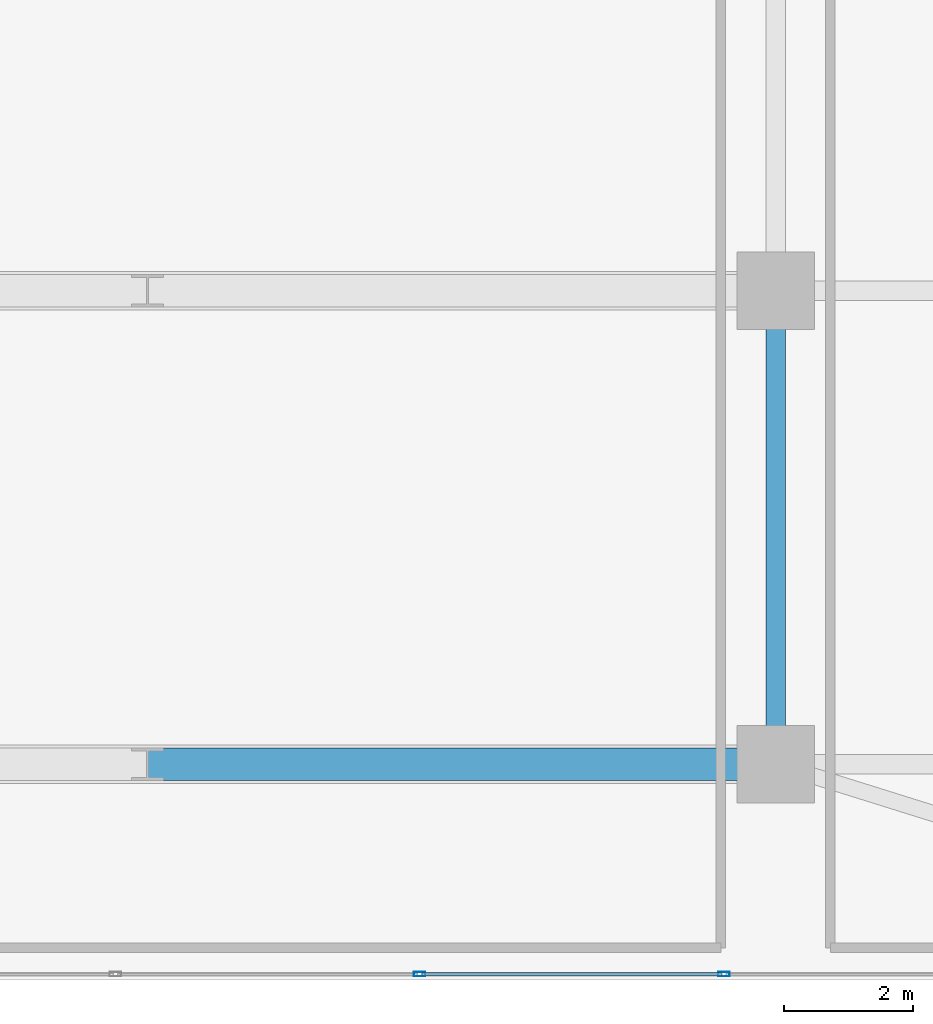
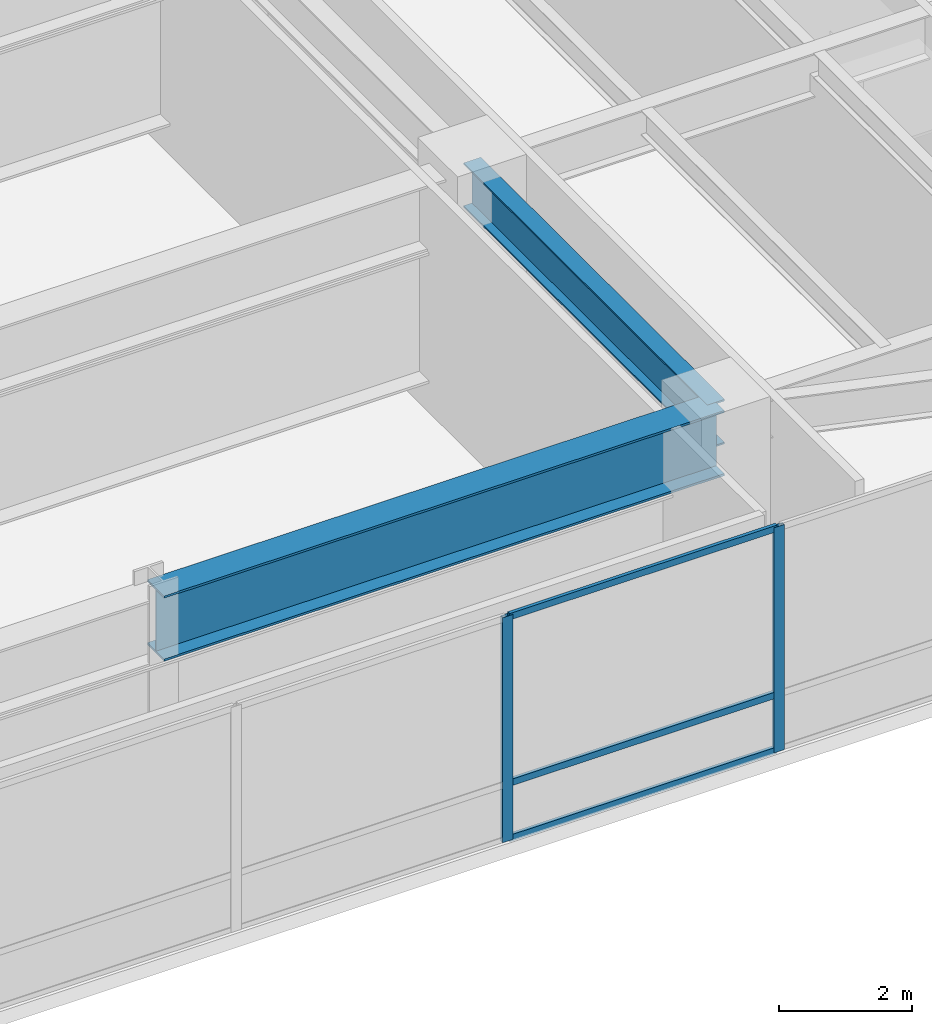
# One storey, part 11 of 27: 5 members, 2 beams, 1 element without a shape of its own.
"""IFC4 building model written with IfcOpenShell, lengths in metres."""

from ifc_helpers import new_model, si_unit, direction, frame, origin, origin_2d, place, context, subcontext, project, spatial, hollow_rectangle, i_section, extrude, source, transform, mapped, material, layer, layer_set, material_profile, profile_set, type_object, type_shapes, element, aggregate, save


model = new_model("IFC4")

# Units and contexts
model_context = context("Model", 3, precision=1e-05, world=origin(), true_north=direction((0.0, 1.0)))
body_context = subcontext(model_context, "Body", "Model", "MODEL_VIEW")
ifc_project = project(units=[si_unit("LENGTHUNIT", "METRE"), si_unit("AREAUNIT", "SQUARE_METRE"), si_unit("VOLUMEUNIT", "CUBIC_METRE"), si_unit("PLANEANGLEUNIT", "RADIAN"), si_unit("MASSUNIT", "GRAM", prefix="KILO")], contexts=[model_context])

# Site, building, storey
site_placement = place(None, origin())
site = spatial("IfcSite", under=ifc_project, at=site_placement, CompositionType="ELEMENT")
building_placement = place(site_placement, origin())
building = spatial("IfcBuilding", under=site, at=building_placement, Name="Tolvann Quenvar Hotel", CompositionType="ELEMENT")
storey_placement = place(building_placement, frame((0.0, 0.0, 22.39990234375)))
storey = spatial("IfcBuildingStorey", under=building, at=storey_placement, Name="L04", CompositionType="ELEMENT", Elevation=22.39990234375)

# Beams
ifc_material_1 = material(Name="Steel Grade 350", Category="steel")
ifc_material_profile_1 = material_profile(ifc_material_1, i_section(OverallWidth=0.300048828125, OverallDepth=0.81591796875, WebThickness=0.010009765625, FlangeThickness=0.028076171875, at=origin_2d()), Name="800WB192")
ifc_profile_set_1 = profile_set([ifc_material_profile_1], Name="Steel Grade 350")
beam_type_1 = type_object("IfcBeamType", Name="BM_GIRD_800WB192", PredefinedType="BEAM", material=ifc_profile_set_1)
shared_shape_1 = source(origin(), body_context, "Body", "SweptSolid", [
    extrude(i_section(OverallWidth=0.300048828125, OverallDepth=0.81591796875, WebThickness=0.010009765625, FlangeThickness=0.028076171875, at=origin_2d()), origin(), (0.0, 0.0, 1.0), 7.349853515625),
])
type_shapes(beam_type_1, [shared_shape_1])
beam_1_placement = place(storey_placement, frame((38.25, 0.85009765625, 3.732177734375), z_axis=(0.0, 1.0, 0.0), x_axis=(-1.0, 0.0, 0.0)))
element("IfcBeam", 1, at=beam_1_placement, inside=storey, type_object=beam_type_1, Name="BM-L04-NS-APE-0", PredefinedType="BEAM", context=body_context, shape_type="MappedRepresentation", body=[
    mapped(shared_shape_1, transform((0.0, 0.0, 0.0), x_axis=(1.0, 0.0, 0.0), y_axis=(0.0, 1.0, 0.0), z_axis=(0.0, 0.0, 1.0), scale=1.0)),
])
ifc_material_profile_2 = material_profile(ifc_material_1, i_section(OverallWidth=0.5, OverallDepth=1.199951171875, WebThickness=0.01611328125, FlangeThickness=0.0400390625, at=origin_2d()), Name="1200WB455")
ifc_profile_set_2 = profile_set([ifc_material_profile_2], Name="Steel Grade 350")
beam_type_2 = type_object("IfcBeamType", Name="BM_TG_1200WB455", PredefinedType="USERDEFINED", material=ifc_profile_set_2)
shared_shape_2 = source(origin(), body_context, "Body", "SweptSolid", [
    extrude(i_section(OverallWidth=0.5, OverallDepth=1.199951171875, WebThickness=0.01611328125, FlangeThickness=0.0400390625, at=origin_2d()), origin(), (0.0, 0.0, 1.0), 9.75),
])
type_shapes(beam_type_2, [shared_shape_2])
beam_2_placement = place(storey_placement, frame((28.5, 0.85009765625, 3.5400390625), z_axis=(1.0, 0.0, 0.0), x_axis=(0.0, 1.0, 0.0)))
element("IfcBeam", 2, at=beam_2_placement, inside=storey, type_object=beam_type_2, Name="BM-L04-ATIE-1B", ObjectType="TRANSFER GIRDER", PredefinedType="USERDEFINED", context=body_context, shape_type="MappedRepresentation", body=[
    mapped(shared_shape_2, transform((0.0, 0.0, 0.0), x_axis=(1.0, 0.0, 0.0), y_axis=(0.0, 1.0, 0.0), z_axis=(0.0, 0.0, 1.0), scale=1.0)),
])

# Curtain wall, members
ifc_material_2 = material(Name="Thermally broken anodised architectural aluminium 6063-T6 and laminated low-E glass", Category="aluminium")
ifc_layer = layer(ifc_material_2, 0.179931640625)
ifc_layer_set = layer_set([ifc_layer], Name="Thermally broken anodised architectural aluminium 6063-T6 and laminated low-E glass")
curtain_wall_type = type_object("IfcCurtainWallType", Name="CW_SYS_BALL_02", PredefinedType="USERDEFINED", material=ifc_layer_set)
curtain_wall_placement = place(storey_placement, origin())
curtain_wall = element("IfcCurtainWall", 3, at=curtain_wall_placement, inside=storey, type_object=curtain_wall_type, Name="Curtain Wall CW-BALL-02 (CWR-L04-E04-S3)", ObjectType="UNITISED CURTAIN WALL", PredefinedType="USERDEFINED")
ifc_material_3 = material(Name="Anodised architectural aluminium 6063-T6 framing", Category="aluminium")
ifc_material_profile_3 = material_profile(ifc_material_3, hollow_rectangle(XDim=0.070068359375, YDim=0.179931640625, WallThickness=0.00390625, at=origin_2d()), Name="180x70x4RHS")
ifc_profile_set_3 = profile_set([ifc_material_profile_3], Name="Anodised architectural aluminium 6063-T6 framing")
member_type_1 = type_object("IfcMemberType", Name="CW_MULL_180x70", PredefinedType="MULLION", material=ifc_profile_set_3)
shared_shape_3 = source(origin(), body_context, "Body", "SweptSolid", [
    extrude(hollow_rectangle(XDim=0.070068359375, YDim=0.179931640625, WallThickness=0.00390625, at=origin_2d()), origin(), (0.0, 0.0, 1.0), 4.14013671875),
])
type_shapes(member_type_1, [shared_shape_3])
member_1_placement = place(storey_placement, frame((32.72412109375, -2.409912109375, 0.0), z_axis=(0.0, 0.0, 1.0), x_axis=(0.0, 1.0, 0.0)))
member_1 = element("IfcMember", 4, at=member_1_placement, type_object=member_type_1, Name="CW-BALL-02 mullion 6", PredefinedType="MULLION", context=body_context, shape_type="MappedRepresentation", body=[
    mapped(shared_shape_3, transform((0.0, 0.0, 0.0), x_axis=(1.0, 0.0, 0.0), y_axis=(0.0, 1.0, 0.0), z_axis=(0.0, 0.0, 1.0), scale=1.0)),
])
member_2_placement = place(storey_placement, frame((37.447998046875, -2.409912109375, 0.0), z_axis=(0.0, 0.0, 1.0), x_axis=(0.0, 1.0, 0.0)))
member_2 = element("IfcMember", 5, at=member_2_placement, type_object=member_type_1, Name="CW-BALL-02 mullion 7", PredefinedType="MULLION", context=body_context, shape_type="MappedRepresentation", body=[
    mapped(shared_shape_3, transform((0.0, 0.0, 0.0), x_axis=(1.0, 0.0, 0.0), y_axis=(0.0, 1.0, 0.0), z_axis=(0.0, 0.0, 1.0), scale=1.0)),
])
ifc_material_profile_4 = material_profile(ifc_material_3, hollow_rectangle(XDim=0.06005859375, YDim=0.1201171875, WallThickness=0.00341796875, at=origin_2d()), Name="120x60x3.5RHS")
ifc_profile_set_4 = profile_set([ifc_material_profile_4], Name="Anodised architectural aluminium 6063-T6 framing")
member_type_2 = type_object("IfcMemberType", Name="CW_TRAN_120x60", PredefinedType="USERDEFINED", material=ifc_profile_set_4)
shared_shape_4 = source(origin(), body_context, "Body", "SweptSolid", [
    extrude(hollow_rectangle(XDim=0.06005859375, YDim=0.1201171875, WallThickness=0.00341796875, at=origin_2d()), origin(), (0.0, 0.0, 1.0), 4.654052734375),
])
type_shapes(member_type_2, [shared_shape_4])
member_3_placement = place(storey_placement, frame((32.759033203125, -2.409912109375, 0.030029296875), z_axis=(1.0, 0.0, 0.0), x_axis=(0.0, 1.0, 0.0)))
member_3 = element("IfcMember", 6, at=member_3_placement, type_object=member_type_2, Name="CW-BALL-02 transom 6.1", ObjectType="TRANSOM", PredefinedType="USERDEFINED", context=body_context, shape_type="MappedRepresentation", body=[
    mapped(shared_shape_4, transform((0.0, 0.0, 0.0), x_axis=(1.0, 0.0, 0.0), y_axis=(0.0, 1.0, 0.0), z_axis=(0.0, 0.0, 1.0), scale=1.0)),
])
member_4_placement = place(storey_placement, frame((32.759033203125, -2.409912109375, 1.050048828125), z_axis=(1.0, 0.0, 0.0), x_axis=(0.0, 1.0, 0.0)))
member_4 = element("IfcMember", 7, at=member_4_placement, type_object=member_type_2, Name="CW-BALL-02 transom 6.2", ObjectType="TRANSOM", PredefinedType="USERDEFINED", context=body_context, shape_type="MappedRepresentation", body=[
    mapped(shared_shape_4, transform((0.0, 0.0, 0.0), x_axis=(1.0, 0.0, 0.0), y_axis=(0.0, 1.0, 0.0), z_axis=(0.0, 0.0, 1.0), scale=1.0)),
])
member_5_placement = place(storey_placement, frame((32.759033203125, -2.409912109375, 4.110107421875), z_axis=(1.0, 0.0, 0.0), x_axis=(0.0, 1.0, 0.0)))
member_5 = element("IfcMember", 8, at=member_5_placement, type_object=member_type_2, Name="CW-BALL-02 transom 6.3", ObjectType="TRANSOM", PredefinedType="USERDEFINED", context=body_context, shape_type="MappedRepresentation", body=[
    mapped(shared_shape_4, transform((0.0, 0.0, 0.0), x_axis=(1.0, 0.0, 0.0), y_axis=(0.0, 1.0, 0.0), z_axis=(0.0, 0.0, 1.0), scale=1.0)),
])
aggregate(curtain_wall, [member_1, member_2, member_3, member_4, member_5])

save(model, "model.ifc")
